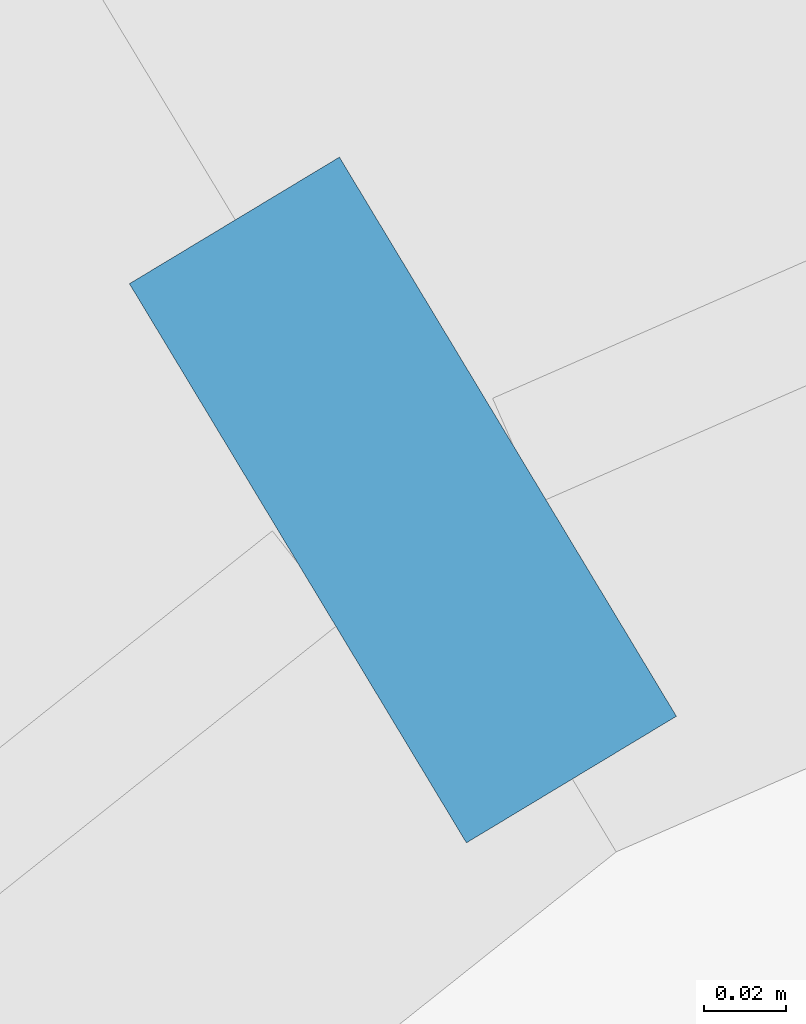
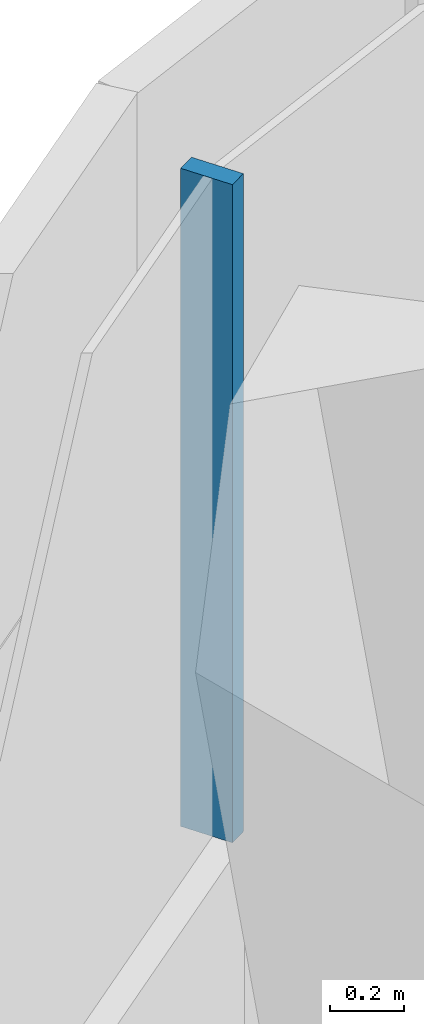
# One storey, part 16 of 31: 1 member, 1 element without a shape of its own.
"""IFC4 building model written with IfcOpenShell, lengths in metres."""

from ifc_helpers import new_model, si_unit, direction, frame, origin, origin_2d, place, context, subcontext, project, spatial, rectangle, extrude, material, layer, layer_set, material_profile, profile_set, type_object, element, aggregate, save


model = new_model("IFC4")

# Units and contexts
model_context = context("Model", 3, precision=1e-05, world=origin(), true_north=direction((0.0, 1.0)))
body_context = subcontext(model_context, "Body", "Model", "MODEL_VIEW")
ifc_project = project(units=[si_unit("LENGTHUNIT", "METRE"), si_unit("AREAUNIT", "SQUARE_METRE"), si_unit("VOLUMEUNIT", "CUBIC_METRE"), si_unit("PLANEANGLEUNIT", "RADIAN"), si_unit("MASSUNIT", "GRAM", prefix="KILO")], contexts=[model_context])

# Site, building, storey
site_placement = place(None, origin())
site = spatial("IfcSite", under=ifc_project, at=site_placement, CompositionType="ELEMENT")
building_placement = place(site_placement, origin())
building = spatial("IfcBuilding", under=site, at=building_placement, Name="Tamarind Cross Interchange Tower", CompositionType="ELEMENT")
storey_placement = place(building_placement, frame((0.0, 0.0, 174.25)))
storey = spatial("IfcBuildingStorey", under=building, at=storey_placement, Name="L43", CompositionType="ELEMENT", Elevation=174.25)

# Curtain wall, member
ifc_material = material(Name="Aluminium 6063-T6", Category="aluminium")
ifc_layer = layer(ifc_material, 0.159912109375)
ifc_layer_set = layer_set([ifc_layer], Name="Aluminium 6063-T6")
curtain_wall_type = type_object("IfcCurtainWallType", Name="Office curtain wall, 9.0 m bays", PredefinedType="NOTDEFINED", material=ifc_layer_set)
curtain_wall_placement = place(storey_placement, origin())
curtain_wall = element("IfcCurtainWall", 1, at=curtain_wall_placement, inside=storey, type_object=curtain_wall_type, Name="CWS-L43-09", PredefinedType="NOTDEFINED")
ifc_material_profile = material_profile(ifc_material, rectangle(XDim=0.06005859375, YDim=0.159912109375, at=origin_2d()), Name="Mullion CW1")
ifc_profile_set = profile_set([ifc_material_profile], Name="Aluminium 6063-T6")
member_type = type_object("IfcMemberType", Name="Mullion CW1", PredefinedType="MULLION", material=ifc_profile_set)
member_placement = place(storey_placement, frame((36.498779296875, 20.30615234375, 1.39990234375), z_axis=(0.0, 0.0, 1.0), x_axis=(-0.856454635627, -0.516222294281, 0.0)))
member = element("IfcMember", 2, at=member_placement, type_object=member_type, Name="CWM-L43-09-00", PredefinedType="MULLION", context=body_context, shape_type="SweptSolid", body=[
    extrude(rectangle(XDim=0.06005859375, YDim=0.159912109375, at=origin_2d()), origin(), (0.0, 0.0, 1.0), 2.170166015625),
])
aggregate(curtain_wall, [member])

save(model, "model.ifc")
